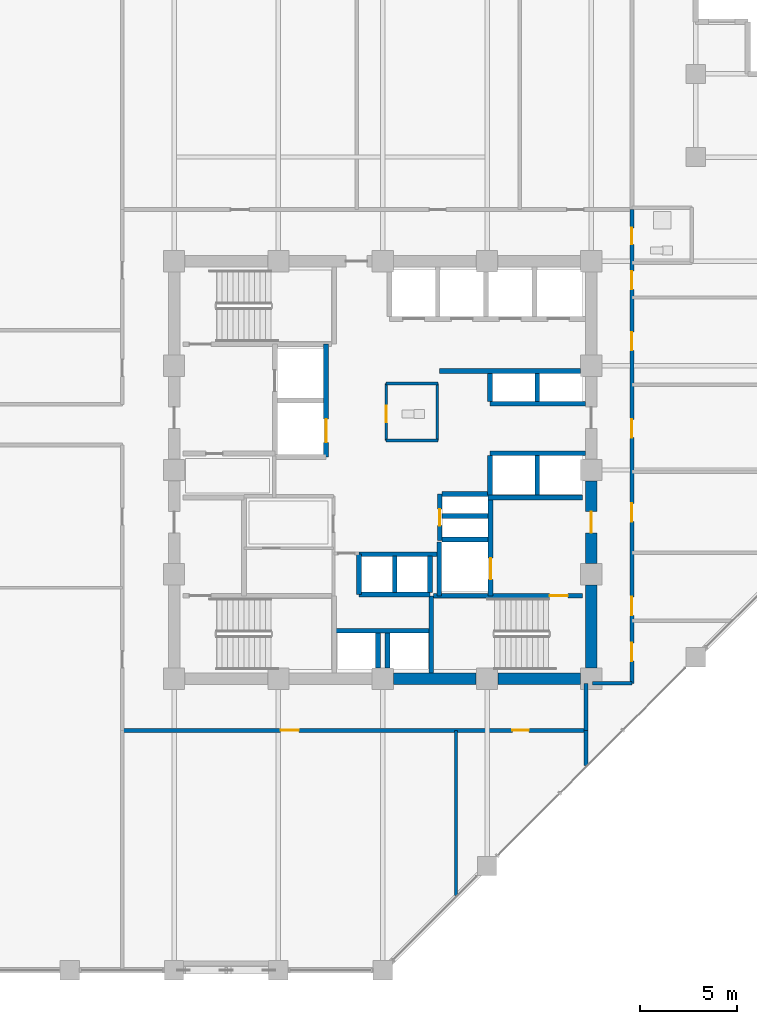
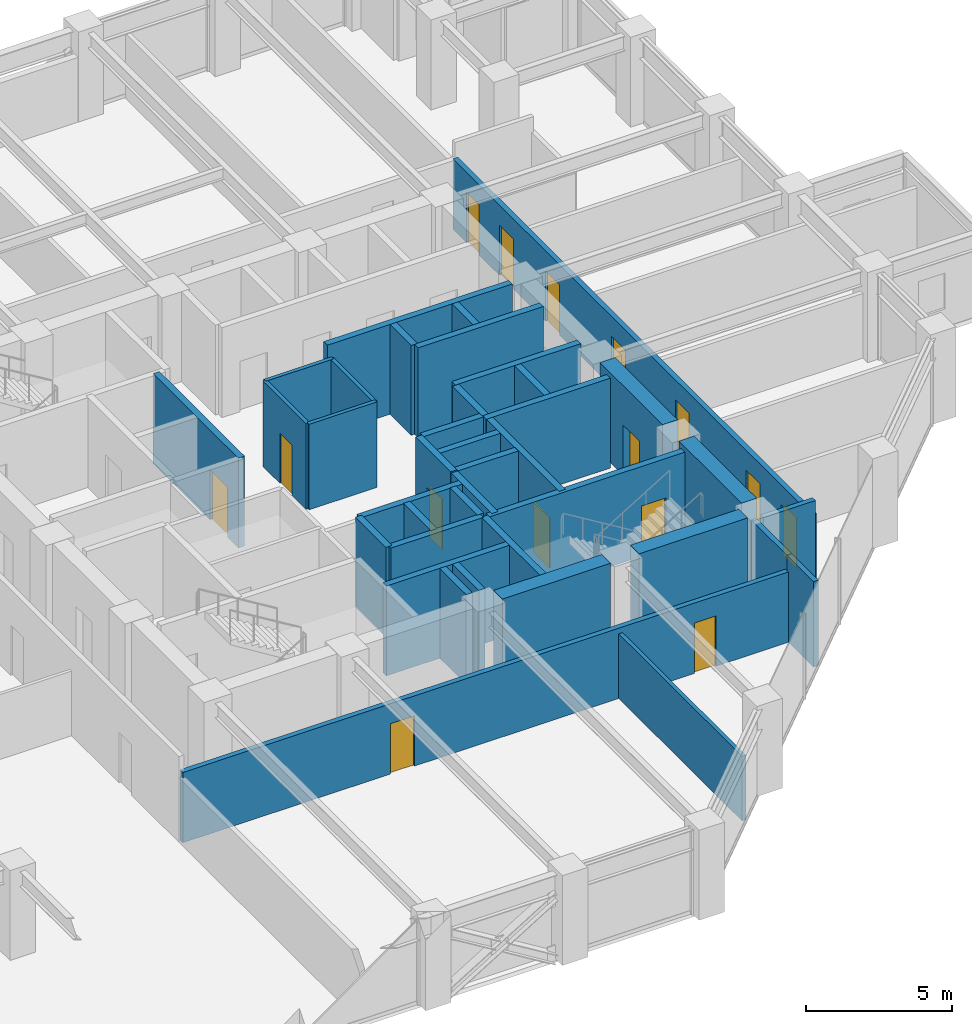
# One storey, part 20 of 26: 39 walls, 15 doors, 15 openings.
"""IFC4 building model written with IfcOpenShell, lengths in metres."""

from ifc_helpers import new_model, si_unit, direction, frame, frame_2d, origin, place, context, subcontext, project, spatial, rectangle, extrude, material, layer, layer_set, type_object, element, fill, save


model = new_model("IFC4")

# Units and contexts
model_context = context("Model", 3, precision=1e-05, world=origin(), true_north=direction((0.0, 1.0)))
body_context = subcontext(model_context, "Body", "Model", "MODEL_VIEW")
ifc_project = project(units=[si_unit("LENGTHUNIT", "METRE"), si_unit("AREAUNIT", "SQUARE_METRE"), si_unit("VOLUMEUNIT", "CUBIC_METRE"), si_unit("PLANEANGLEUNIT", "RADIAN"), si_unit("MASSUNIT", "GRAM", prefix="KILO")], contexts=[model_context])

# Site, building, storey
site_placement = place(None, origin())
site = spatial("IfcSite", under=ifc_project, at=site_placement, CompositionType="ELEMENT")
building_placement = place(site_placement, origin())
building = spatial("IfcBuilding", under=site, at=building_placement, Name="Surkhivell Harbour Commons", CompositionType="ELEMENT")
storey_placement = place(building_placement, frame((0.0, 0.0, 147.0)))
storey = spatial("IfcBuildingStorey", under=building, at=storey_placement, Name="L38", CompositionType="ELEMENT", Elevation=147.0)

# Wall
ifc_material_1 = material(Name="Concrete C60/75", Category="concrete")
ifc_layer_1 = layer(ifc_material_1, 0.60009765625)
ifc_layer_set_1 = layer_set([ifc_layer_1], Name="Concrete C60/75")
wall_type_1 = type_object("IfcWallType", Name="WAL-CORE-600", PredefinedType="SHEAR", material=ifc_layer_set_1)
wall_1_placement = place(storey_placement, frame((10.800048828125, -10.239990234375, 0.0), z_axis=(0.0, 0.0, 1.0), x_axis=(0.0, 1.0, 0.0)))
element("IfcWall", 1, at=wall_1_placement, inside=storey, type_object=wall_type_1, Name="L38 Core Shear Wall East 1", PredefinedType="SHEAR", context=body_context, shape_type="SweptSolid", body=[
    extrude(rectangle(XDim=4.280029296875, YDim=0.60009765625, at=frame_2d((2.14013671875, 0.0))), origin(), (0.0, 0.0, 1.0), 3.75),
])

# Wall, opening, door
wall_2_placement = place(storey_placement, frame((10.800048828125, -4.840087890625, 0.0), z_axis=(0.0, 0.0, 1.0), x_axis=(0.0, 1.0, 0.0)))
wall_2 = element("IfcWall", 2, at=wall_2_placement, inside=storey, type_object=wall_type_1, Name="L38 Core Shear Wall East 2", PredefinedType="SHEAR", context=body_context, shape_type="SweptSolid", body=[
    extrude(rectangle(XDim=4.280029296875, YDim=0.60009765625, at=frame_2d((2.14013671875, 0.0))), origin(), (0.0, 0.0, 1.0), 3.75),
])
opening_1_placement = place(wall_2_placement, frame((1.590087890625, 0.0, 0.0)))
opening_1 = element("IfcOpeningElement", 3, at=opening_1_placement, cuts=wall_2, Name="Opening ID-1", PredefinedType="OPENING", context=body_context, shape_type="SweptSolid", body=[
    extrude(rectangle(XDim=1.10009765625, YDim=2.10009765625, at=frame_2d((0.550048828125, 1.050048828125))), frame((0.0, 0.31005859375, 0.0), z_axis=(0.0, -1.0, 0.0), x_axis=(1.0, 0.0, 0.0)), (0.0, 0.0, 1.0), 0.6201171875),
])
ifc_material_2 = material(Name="Hardwood-veneered fire-rated door leaf", Category="wood")
door_type_1 = type_object("IfcDoorType", Name="DOR-FD120-1100", OperationType="NOTDEFINED", PredefinedType="DOOR", material=ifc_material_2)
door_1_placement = place(opening_1_placement, origin())
door_1 = element("IfcDoor", 4, at=door_1_placement, inside=storey, type_object=door_type_1, Name="L38 Firefighting Lobby 2 Corridor Door", OperationType="SINGLE_SWING_RIGHT", OverallHeight=2.10009765625, OverallWidth=1.10009765625, PredefinedType="DOOR", context=body_context, shape_type="SweptSolid", body=[
    extrude(rectangle(XDim=1.10009765625, YDim=2.10009765625, at=frame_2d((0.550048828125, 1.050048828125))), frame((0.0, 0.02490234375, 0.0), z_axis=(0.0, -1.0, 0.0), x_axis=(1.0, 0.0, 0.0)), (0.0, 0.0, 1.0), 0.050048828125),
])
fill(opening_1, door_1)

# Walls
for number, where, z_axis, x_axis, name in (
    (5, (0.56005859375, -10.800048828125, 0.0), (0.0, 0.0, 1.0), (1.0, 0.0, 0.0), "L38 Core Shear Wall South 3"),
    (6, (5.9599609375, -10.800048828125, 0.0), (0.0, 0.0, 1.0), (1.0, 0.0, 0.0), "L38 Core Shear Wall South 4"),
):
    element("IfcWall", number, at=place(storey_placement, frame(where, z_axis=z_axis, x_axis=x_axis)), inside=storey, type_object=wall_type_1, Name=name, PredefinedType="SHEAR", context=body_context, shape_type="SweptSolid", body=[
        extrude(rectangle(XDim=4.280029296875, YDim=0.60009765625, at=frame_2d((2.14013671875, 0.0))), origin(), (0.0, 0.0, 1.0), 3.75),
    ])
ifc_material_3 = material(Name="Twin-stud acoustic fireboard partition", Category="other")
ifc_layer_2 = layer(ifc_material_3, 0.14990234375)
ifc_layer_set_2 = layer_set([ifc_layer_2], Name="Twin-stud acoustic fireboard partition")
wall_type_2 = type_object("IfcWallType", Name="WAL-INT-150", PredefinedType="PARTITIONING", material=ifc_layer_set_2)
wall_3_placement = place(storey_placement, frame((2.820068359375, 1.52001953125, 0.0), z_axis=(0.0, 0.0, 1.0), x_axis=(0.0, 1.0, 0.0)))
element("IfcWall", 7, at=wall_3_placement, inside=storey, type_object=wall_type_2, Name="L38 Core Accessible WC East Wall", PredefinedType="PARTITIONING", context=body_context, shape_type="SweptSolid", body=[
    extrude(rectangle(XDim=2.9599609375, YDim=0.14990234375, at=frame_2d((1.47998046875, 0.0))), origin(), (0.0, 0.0, 1.0), 3.570068359375),
])
for number, where, z_axis, x_axis, name in (
    (8, (0.179931640625, 4.47998046875, 0.0), (0.0, 0.0, 1.0), (1.0, 0.0, 0.0), "L38 Core Accessible WC North Wall"),
    (9, (0.179931640625, 1.52001953125, 0.0), (0.0, 0.0, 1.0), (1.0, 0.0, 0.0), "L38 Core Accessible WC South Wall"),
):
    element("IfcWall", number, at=place(storey_placement, frame(where, z_axis=z_axis, x_axis=x_axis)), inside=storey, type_object=wall_type_2, Name=name, PredefinedType="PARTITIONING", context=body_context, shape_type="SweptSolid", body=[
        extrude(rectangle(XDim=2.670166015625, YDim=0.14990234375, at=frame_2d((1.3349609375, 0.0))), origin(), (0.0, 0.0, 1.0), 3.570068359375),
    ])

# Wall, opening, door
wall_4_placement = place(storey_placement, frame((0.179931640625, 1.52001953125, 0.0), z_axis=(0.0, 0.0, 1.0), x_axis=(0.0, 1.0, 0.0)))
wall_4 = element("IfcWall", 10, at=wall_4_placement, inside=storey, type_object=wall_type_2, Name="L38 Core Accessible WC West Wall", PredefinedType="PARTITIONING", context=body_context, shape_type="SweptSolid", body=[
    extrude(rectangle(XDim=2.9599609375, YDim=0.14990234375, at=frame_2d((1.47998046875, 0.0))), origin(), (0.0, 0.0, 1.0), 3.570068359375),
])
opening_2_placement = place(wall_4_placement, frame((0.949951171875, 0.0, 0.0)))
opening_2 = element("IfcOpeningElement", 11, at=opening_2_placement, cuts=wall_4, Name="Opening ID-6", PredefinedType="OPENING", context=body_context, shape_type="SweptSolid", body=[
    extrude(rectangle(XDim=0.85009765625, YDim=2.10009765625, at=frame_2d((0.425048828125, 1.050048828125))), frame((0.0, 0.0849609375, 0.0), z_axis=(0.0, -1.0, 0.0), x_axis=(1.0, 0.0, 0.0)), (0.0, 0.0, 1.0), 0.169921875),
])
door_type_2 = type_object("IfcDoorType", Name="DOR-FD30-850", OperationType="NOTDEFINED", PredefinedType="DOOR", material=ifc_material_2)
door_2_placement = place(opening_2_placement, origin())
door_2 = element("IfcDoor", 12, at=door_2_placement, inside=storey, type_object=door_type_2, Name="L38 Floor Accessible WC Door", OperationType="SINGLE_SWING_RIGHT", OverallHeight=2.10009765625, OverallWidth=0.85009765625, PredefinedType="DOOR", context=body_context, shape_type="SweptSolid", body=[
    extrude(rectangle(XDim=0.85009765625, YDim=2.10009765625, at=frame_2d((0.425048828125, 1.050048828125))), frame((0.0, 0.02490234375, 0.0), z_axis=(0.0, -1.0, 0.0), x_axis=(1.0, 0.0, 0.0)), (0.0, 0.0, 1.0), 0.050048828125),
])
fill(opening_2, door_2)

# Walls
wall_5_placement = place(storey_placement, frame((3.800048828125, -22.01513671875, 0.0), z_axis=(0.0, 0.0, 1.0), x_axis=(0.0, 1.0, 0.0)))
element("IfcWall", 13, at=wall_5_placement, inside=storey, type_object=wall_type_2, Name="L38 South Partition P1", PredefinedType="PARTITIONING", context=body_context, shape_type="SweptSolid", body=[
    extrude(rectangle(XDim=8.53515625, YDim=0.14990234375, at=frame_2d((4.267578125, 0.0))), origin(), (0.0, 0.0, 1.0), 2.698974609375),
])
ifc_material_4 = material(Name="Autoclaved aerated concrete blockwork and fire plaster", Category="masonry")
ifc_layer_3 = layer(ifc_material_4, 0.199951171875)
ifc_layer_set_3 = layer_set([ifc_layer_3], Name="Autoclaved aerated concrete blockwork and fire plaster")
wall_type_3 = type_object("IfcWallType", Name="WAL-INT-200", PredefinedType="PARTITIONING", material=ifc_layer_set_3)
wall_6_placement = place(storey_placement, frame((10.52001953125, -15.295166015625, 0.0), z_axis=(0.0, 0.0, 1.0), x_axis=(0.0, 1.0, 0.0)))
element("IfcWall", 14, at=wall_6_placement, inside=storey, type_object=wall_type_3, Name="L38 South-East Wing Corner Divider", PredefinedType="PARTITIONING", context=body_context, shape_type="SweptSolid", body=[
    extrude(rectangle(XDim=1.815185546875, YDim=0.199951171875, at=frame_2d((0.90771484375, 0.0))), origin(), (0.0, 0.0, 1.0), 3.570068359375),
])

# Wall, openings, doors
wall_7_placement = place(storey_placement, frame((12.89990234375, -11.0400390625, 0.0), z_axis=(0.0, 0.0, 1.0), x_axis=(0.0, 1.0, 0.0)))
wall_7 = element("IfcWall", 15, at=wall_7_placement, inside=storey, type_object=wall_type_3, Name="L38 Corridor East Wall", PredefinedType="PARTITIONING", context=body_context, shape_type="SweptSolid", body=[
    extrude(rectangle(XDim=24.52001953125, YDim=0.199951171875, at=frame_2d((12.260009765625, 0.0))), origin(), (0.0, 0.0, 1.0), 2.93310546875),
])
opening_3_placement = place(wall_7_placement, frame((1.139892578125, 0.0, 0.0)))
opening_3 = element("IfcOpeningElement", 16, at=opening_3_placement, cuts=wall_7, Name="Opening ID-4", PredefinedType="OPENING", context=body_context, shape_type="SweptSolid", body=[
    extrude(rectangle(XDim=0.949951171875, YDim=2.10009765625, at=frame_2d((0.47509765625, 1.050048828125))), frame((0.0, 0.10986328125, 0.0), z_axis=(0.0, -1.0, 0.0), x_axis=(1.0, 0.0, 0.0)), (0.0, 0.0, 1.0), 0.219970703125),
])
opening_4_placement = place(wall_7_placement, frame((22.72509765625, 0.0, 0.0)))
opening_4 = element("IfcOpeningElement", 17, at=opening_4_placement, cuts=wall_7, Name="Opening ID-6", PredefinedType="OPENING", context=body_context, shape_type="SweptSolid", body=[
    extrude(rectangle(XDim=0.85009765625, YDim=2.10009765625, at=frame_2d((0.425048828125, 1.050048828125))), frame((0.0, 0.10986328125, 0.0), z_axis=(0.0, -1.0, 0.0), x_axis=(1.0, 0.0, 0.0)), (0.0, 0.0, 1.0), 0.219970703125),
])
opening_5_placement = place(wall_7_placement, frame((20.389892578125, 0.0, 0.0)))
opening_5 = element("IfcOpeningElement", 18, at=opening_5_placement, cuts=wall_7, Name="Opening ID-4", PredefinedType="OPENING", context=body_context, shape_type="SweptSolid", body=[
    extrude(rectangle(XDim=0.949951171875, YDim=2.10009765625, at=frame_2d((0.47509765625, 1.050048828125))), frame((0.0, 0.10986328125, 0.0), z_axis=(0.0, -1.0, 0.0), x_axis=(1.0, 0.0, 0.0)), (0.0, 0.0, 1.0), 0.219970703125),
])
opening_6_placement = place(wall_7_placement, frame((3.52001953125, 0.0, 0.0)))
opening_6 = element("IfcOpeningElement", 19, at=opening_6_placement, cuts=wall_7, Name="Opening ID-4", PredefinedType="OPENING", context=body_context, shape_type="SweptSolid", body=[
    extrude(rectangle(XDim=0.949951171875, YDim=2.10009765625, at=frame_2d((0.47509765625, 1.050048828125))), frame((0.0, 0.10986328125, 0.0), z_axis=(0.0, -1.0, 0.0), x_axis=(1.0, 0.0, 0.0)), (0.0, 0.0, 1.0), 0.219970703125),
])
opening_7_placement = place(wall_7_placement, frame((8.364990234375, 0.0, 0.0)))
opening_7 = element("IfcOpeningElement", 20, at=opening_7_placement, cuts=wall_7, Name="Opening ID-4", PredefinedType="OPENING", context=body_context, shape_type="SweptSolid", body=[
    extrude(rectangle(XDim=0.949951171875, YDim=2.10009765625, at=frame_2d((0.47509765625, 1.050048828125))), frame((0.0, 0.10986328125, 0.0), z_axis=(0.0, -1.0, 0.0), x_axis=(1.0, 0.0, 0.0)), (0.0, 0.0, 1.0), 0.219970703125),
])
opening_8_placement = place(wall_7_placement, frame((12.715087890625, 0.0, 0.0)))
opening_8 = element("IfcOpeningElement", 21, at=opening_8_placement, cuts=wall_7, Name="Opening ID-4", PredefinedType="OPENING", context=body_context, shape_type="SweptSolid", body=[
    extrude(rectangle(XDim=0.949951171875, YDim=2.10009765625, at=frame_2d((0.47509765625, 1.050048828125))), frame((0.0, 0.10986328125, 0.0), z_axis=(0.0, -1.0, 0.0), x_axis=(1.0, 0.0, 0.0)), (0.0, 0.0, 1.0), 0.219970703125),
])
opening_9_placement = place(wall_7_placement, frame((17.22998046875, 0.0, 0.0)))
opening_9 = element("IfcOpeningElement", 22, at=opening_9_placement, cuts=wall_7, Name="Opening ID-4", PredefinedType="OPENING", context=body_context, shape_type="SweptSolid", body=[
    extrude(rectangle(XDim=0.949951171875, YDim=2.10009765625, at=frame_2d((0.47509765625, 1.050048828125))), frame((0.0, 0.10986328125, 0.0), z_axis=(0.0, -1.0, 0.0), x_axis=(1.0, 0.0, 0.0)), (0.0, 0.0, 1.0), 0.219970703125),
])
door_3_placement = place(opening_4_placement, origin())
door_3 = element("IfcDoor", 23, at=door_3_placement, inside=storey, type_object=door_type_2, Name="L38 Communal Shower Bathroom East Door", OperationType="SINGLE_SWING_RIGHT", OverallHeight=2.10009765625, OverallWidth=0.85009765625, PredefinedType="DOOR", context=body_context, shape_type="SweptSolid", body=[
    extrude(rectangle(XDim=0.85009765625, YDim=2.10009765625, at=frame_2d((0.425048828125, 1.050048828125))), frame((0.0, 0.02490234375, 0.0), z_axis=(0.0, -1.0, 0.0), x_axis=(1.0, 0.0, 0.0)), (0.0, 0.0, 1.0), 0.050048828125),
])
fill(opening_4, door_3)
door_type_3 = type_object("IfcDoorType", Name="DOR-FD60-950", OperationType="NOTDEFINED", PredefinedType="DOOR", material=ifc_material_2)
door_4_placement = place(opening_3_placement, origin())
door_4 = element("IfcDoor", 24, at=door_4_placement, inside=storey, type_object=door_type_3, Name="L38 Shared Communal Kitchen East Door", OperationType="SINGLE_SWING_LEFT", OverallHeight=2.10009765625, OverallWidth=0.949951171875, PredefinedType="DOOR", context=body_context, shape_type="SweptSolid", body=[
    extrude(rectangle(XDim=0.949951171875, YDim=2.10009765625, at=frame_2d((0.47509765625, 1.050048828125))), frame((0.0, 0.02490234375, 0.0), z_axis=(0.0, -1.0, 0.0), x_axis=(1.0, 0.0, 0.0)), (0.0, 0.0, 1.0), 0.050048828125),
])
fill(opening_3, door_4)
door_5_placement = place(opening_5_placement, origin())
door_5 = element("IfcDoor", 25, at=door_5_placement, inside=storey, type_object=door_type_3, Name="L38 Academic Reading Commons East Door", OperationType="SINGLE_SWING_LEFT", OverallHeight=2.10009765625, OverallWidth=0.949951171875, PredefinedType="DOOR", context=body_context, shape_type="SweptSolid", body=[
    extrude(rectangle(XDim=0.949951171875, YDim=2.10009765625, at=frame_2d((0.47509765625, 1.050048828125))), frame((0.0, 0.02490234375, 0.0), z_axis=(0.0, -1.0, 0.0), x_axis=(1.0, 0.0, 0.0)), (0.0, 0.0, 1.0), 0.050048828125),
])
fill(opening_5, door_5)
door_6_placement = place(opening_6_placement, origin())
door_6 = element("IfcDoor", 26, at=door_6_placement, inside=storey, type_object=door_type_3, Name="L38 Hostel Cluster Bedroom 1 East Door", OperationType="SINGLE_SWING_RIGHT", OverallHeight=2.10009765625, OverallWidth=0.949951171875, PredefinedType="DOOR", context=body_context, shape_type="SweptSolid", body=[
    extrude(rectangle(XDim=0.949951171875, YDim=2.10009765625, at=frame_2d((0.47509765625, 1.050048828125))), frame((0.0, 0.02490234375, 0.0), z_axis=(0.0, -1.0, 0.0), x_axis=(1.0, 0.0, 0.0)), (0.0, 0.0, 1.0), 0.050048828125),
])
fill(opening_6, door_6)
door_7_placement = place(opening_7_placement, origin())
door_7 = element("IfcDoor", 27, at=door_7_placement, inside=storey, type_object=door_type_3, Name="L38 Co-Living Dormitory Bedroom 2 East Door", OperationType="SINGLE_SWING_LEFT", OverallHeight=2.10009765625, OverallWidth=0.949951171875, PredefinedType="DOOR", context=body_context, shape_type="SweptSolid", body=[
    extrude(rectangle(XDim=0.949951171875, YDim=2.10009765625, at=frame_2d((0.47509765625, 1.050048828125))), frame((0.0, 0.02490234375, 0.0), z_axis=(0.0, -1.0, 0.0), x_axis=(1.0, 0.0, 0.0)), (0.0, 0.0, 1.0), 0.050048828125),
])
fill(opening_7, door_7)
door_8_placement = place(opening_8_placement, origin())
door_8 = element("IfcDoor", 28, at=door_8_placement, inside=storey, type_object=door_type_3, Name="L38 Hostel Cluster Bedroom 3 East Door", OperationType="SINGLE_SWING_RIGHT", OverallHeight=2.10009765625, OverallWidth=0.949951171875, PredefinedType="DOOR", context=body_context, shape_type="SweptSolid", body=[
    extrude(rectangle(XDim=0.949951171875, YDim=2.10009765625, at=frame_2d((0.47509765625, 1.050048828125))), frame((0.0, 0.02490234375, 0.0), z_axis=(0.0, -1.0, 0.0), x_axis=(1.0, 0.0, 0.0)), (0.0, 0.0, 1.0), 0.050048828125),
])
fill(opening_8, door_8)
door_9_placement = place(opening_9_placement, origin())
door_9 = element("IfcDoor", 29, at=door_9_placement, inside=storey, type_object=door_type_3, Name="L38 Co-Living Dormitory Bedroom 4 East Door", OperationType="SINGLE_SWING_LEFT", OverallHeight=2.10009765625, OverallWidth=0.949951171875, PredefinedType="DOOR", context=body_context, shape_type="SweptSolid", body=[
    extrude(rectangle(XDim=0.949951171875, YDim=2.10009765625, at=frame_2d((0.47509765625, 1.050048828125))), frame((0.0, 0.02490234375, 0.0), z_axis=(0.0, -1.0, 0.0), x_axis=(1.0, 0.0, 0.0)), (0.0, 0.0, 1.0), 0.050048828125),
])
fill(opening_9, door_9)

# Wall
wall_8_placement = place(storey_placement, frame((10.85009765625, -11.0400390625, 0.0), z_axis=(0.0, 0.0, 1.0), x_axis=(1.0, 0.0, 0.0)))
element("IfcWall", 30, at=wall_8_placement, inside=storey, type_object=wall_type_3, Name="L38 Corridor East South Closure Wall", PredefinedType="PARTITIONING", context=body_context, shape_type="SweptSolid", body=[
    extrude(rectangle(XDim=2.0498046875, YDim=0.199951171875, at=frame_2d((1.02490234375, 0.0))), origin(), (0.0, 0.0, 1.0), 3.570068359375),
])

# Wall, openings, doors
wall_9_placement = place(storey_placement, frame((-13.47998046875, -13.47998046875, 0.0), z_axis=(0.0, 0.0, 1.0), x_axis=(1.0, 0.0, 0.0)))
wall_9 = element("IfcWall", 31, at=wall_9_placement, inside=storey, type_object=wall_type_3, Name="L38 Corridor South Wall", PredefinedType="PARTITIONING", context=body_context, shape_type="SweptSolid", body=[
    extrude(rectangle(XDim=24.0, YDim=0.199951171875, at=frame_2d((12.0, 0.0))), origin(), (0.0, 0.0, 1.0), 2.93310546875),
])
opening_10_placement = place(wall_9_placement, frame((8.18994140625, 0.0, 0.0)))
opening_10 = element("IfcOpeningElement", 32, at=opening_10_placement, cuts=wall_9, Name="Opening ID-4", PredefinedType="OPENING", context=body_context, shape_type="SweptSolid", body=[
    extrude(rectangle(XDim=0.949951171875, YDim=2.10009765625, at=frame_2d((0.47509765625, 1.050048828125))), frame((0.0, 0.10986328125, 0.0), z_axis=(0.0, -1.0, 0.0), x_axis=(1.0, 0.0, 0.0)), (0.0, 0.0, 1.0), 0.219970703125),
])
opening_11_placement = place(wall_9_placement, frame((20.18994140625, 0.0, 0.0)))
opening_11 = element("IfcOpeningElement", 33, at=opening_11_placement, cuts=wall_9, Name="Opening ID-6", PredefinedType="OPENING", context=body_context, shape_type="SweptSolid", body=[
    extrude(rectangle(XDim=0.85009765625, YDim=2.10009765625, at=frame_2d((0.425048828125, 1.050048828125))), frame((0.0, 0.10986328125, 0.0), z_axis=(0.0, -1.0, 0.0), x_axis=(1.0, 0.0, 0.0)), (0.0, 0.0, 1.0), 0.219970703125),
])
door_10_placement = place(opening_11_placement, origin())
door_10 = element("IfcDoor", 34, at=door_10_placement, inside=storey, type_object=door_type_2, Name="L38 Resident Advisory Reception Desk South Door", OperationType="SINGLE_SWING_LEFT", OverallHeight=2.10009765625, OverallWidth=0.85009765625, PredefinedType="DOOR", context=body_context, shape_type="SweptSolid", body=[
    extrude(rectangle(XDim=0.85009765625, YDim=2.10009765625, at=frame_2d((0.425048828125, 1.050048828125))), frame((0.0, 0.02490234375, 0.0), z_axis=(0.0, -1.0, 0.0), x_axis=(1.0, 0.0, 0.0)), (0.0, 0.0, 1.0), 0.050048828125),
])
fill(opening_11, door_10)
door_11_placement = place(opening_10_placement, origin())
door_11 = element("IfcDoor", 35, at=door_11_placement, inside=storey, type_object=door_type_3, Name="L38 Zone Concierge Reception Foyer South Door", OperationType="SINGLE_SWING_RIGHT", OverallHeight=2.10009765625, OverallWidth=0.949951171875, PredefinedType="DOOR", context=body_context, shape_type="SweptSolid", body=[
    extrude(rectangle(XDim=0.949951171875, YDim=2.10009765625, at=frame_2d((0.47509765625, 1.050048828125))), frame((0.0, 0.02490234375, 0.0), z_axis=(0.0, -1.0, 0.0), x_axis=(1.0, 0.0, 0.0)), (0.0, 0.0, 1.0), 0.050048828125),
])
fill(opening_10, door_11)

# Walls
wall_10_placement = place(storey_placement, frame((10.52001953125, -13.47998046875, 0.0), z_axis=(0.0, 0.0, 1.0), x_axis=(0.0, 1.0, 0.0)))
element("IfcWall", 36, at=wall_10_placement, inside=storey, type_object=wall_type_3, Name="L38 Corridor SE Closure Wall", PredefinedType="PARTITIONING", context=body_context, shape_type="SweptSolid", body=[
    extrude(rectangle(XDim=2.43994140625, YDim=0.199951171875, at=frame_2d((1.219970703125, 0.0))), origin(), (0.0, 0.0, 1.0), 3.570068359375),
])
ifc_material_5 = material(Name="Concrete C50/60", Category="concrete")
ifc_layer_4 = layer(ifc_material_5, 0.25)
ifc_layer_set_4 = layer_set([ifc_layer_4], Name="Concrete C50/60")
wall_type_4 = type_object("IfcWallType", Name="WAL-SHAFT-250", PredefinedType="SHEAR", material=ifc_layer_set_4)
wall_11_placement = place(storey_placement, frame((2.929931640625, -6.510009765625, 0.0), z_axis=(0.0, 0.0, 1.0), x_axis=(0.0, 1.0, 0.0)))
element("IfcWall", 37, at=wall_11_placement, inside=storey, type_object=wall_type_4, Name="L38 FFL2 West Shaft Wall", PredefinedType="SHEAR", context=body_context, shape_type="SweptSolid", body=[
    extrude(rectangle(XDim=2.7900390625, YDim=0.25, at=frame_2d((1.39501953125, 0.0))), origin(), (0.0, 0.0, 1.0), 3.75),
])
wall_12_placement = place(storey_placement, frame((5.43994140625, -1.419921875, 0.0), z_axis=(0.0, 0.0, 1.0), x_axis=(1.0, 0.0, 0.0)))
element("IfcWall", 38, at=wall_12_placement, inside=storey, type_object=wall_type_4, Name="L38 Firefighting Lobby 2 North Wall", PredefinedType="SHEAR", context=body_context, shape_type="SweptSolid", body=[
    extrude(rectangle(XDim=4.900146484375, YDim=0.25, at=frame_2d((2.4501953125, 0.0))), origin(), (0.0, 0.0, 1.0), 3.75),
])
wall_13_placement = place(storey_placement, frame((3.080078125, -3.60009765625, 0.0), z_axis=(0.0, 0.0, 1.0), x_axis=(1.0, 0.0, 0.0)))
element("IfcWall", 39, at=wall_13_placement, inside=storey, type_object=wall_type_4, Name="L38 FFL2 North Shaft Wall", PredefinedType="SHEAR", context=body_context, shape_type="SweptSolid", body=[
    extrude(rectangle(XDim=2.369873046875, YDim=0.25, at=frame_2d((1.18505859375, 0.0))), origin(), (0.0, 0.0, 1.0), 3.75),
])

# Wall, opening, door
wall_14_placement = place(storey_placement, frame((5.580078125, -6.510009765625, 0.0), z_axis=(0.0, 0.0, 1.0), x_axis=(0.0, 1.0, 0.0)))
wall_14 = element("IfcWall", 40, at=wall_14_placement, inside=storey, type_object=wall_type_4, Name="L38 Firefighting Lobby 2 West Shaft Wall", PredefinedType="SHEAR", context=body_context, shape_type="SweptSolid", body=[
    extrude(rectangle(XDim=5.090087890625, YDim=0.25, at=frame_2d((2.544921875, 0.0))), origin(), (0.0, 0.0, 1.0), 3.75),
])
opening_12_placement = place(wall_14_placement, frame((0.85009765625, 0.0, 0.0)))
opening_12 = element("IfcOpeningElement", 41, at=opening_12_placement, cuts=wall_14, Name="Opening LD-1", PredefinedType="OPENING", context=body_context, shape_type="SweptSolid", body=[
    extrude(rectangle(XDim=1.10009765625, YDim=2.10009765625, at=frame_2d((0.550048828125, 1.050048828125))), frame((0.0, 0.135009765625, 0.0), z_axis=(0.0, -1.0, 0.0), x_axis=(1.0, 0.0, 0.0)), (0.0, 0.0, 1.0), 0.27001953125),
])
ifc_material_6 = material(Name="Brushed stainless steel S355", Category="steel")
door_type_4 = type_object("IfcDoorType", Name="DOR-LD-1100", OperationType="SLIDING_TO_LEFT", PredefinedType="DOOR", material=ifc_material_6)
door_12_placement = place(opening_12_placement, origin())
door_12 = element("IfcDoor", 42, at=door_12_placement, inside=storey, type_object=door_type_4, Name="L38 Lift Landing Door LD-FFL2", OperationType="SLIDING_TO_RIGHT", OverallHeight=2.10009765625, OverallWidth=1.10009765625, PredefinedType="DOOR", context=body_context, shape_type="SweptSolid", body=[
    extrude(rectangle(XDim=1.10009765625, YDim=2.10009765625, at=frame_2d((0.550048828125, 1.050048828125))), frame((0.0, 0.02490234375, 0.0), z_axis=(0.0, -1.0, 0.0), x_axis=(1.0, 0.0, 0.0)), (0.0, 0.0, 1.0), 0.050048828125),
])
fill(opening_12, door_12)

# Walls
for number, where, z_axis, x_axis, name in (
    (43, (0.6201171875, -6.340087890625, 0.0), (0.0, 0.0, 1.0), (0.0, 1.0, 0.0), "L38 High-Rise Side Wall N"),
    (44, (2.449951171875, -6.340087890625, 0.0), (0.0, 0.0, 1.0), (0.0, 1.0, 0.0), "L38 High-Rise Side Wall N"),
):
    element("IfcWall", number, at=place(storey_placement, frame(where, z_axis=z_axis, x_axis=x_axis)), inside=storey, type_object=wall_type_4, Name=name, PredefinedType="SHEAR", context=body_context, shape_type="SweptSolid", body=[
        extrude(rectangle(XDim=1.880126953125, YDim=0.25, at=frame_2d((0.93994140625, 0.0))), origin(), (0.0, 0.0, 1.0), 3.75),
    ])
for number, where, z_axis, x_axis, name in (
    (45, (-0.25, -10.25, 0.0), (0.0, 0.0, 1.0), (0.0, 1.0, 0.0), "L38 High-Rise Side Wall S"),
    (46, (0.25, -10.25, 0.0), (0.0, 0.0, 1.0), (0.0, 1.0, 0.0), "L38 High-Rise Side Wall S"),
):
    element("IfcWall", number, at=place(storey_placement, frame(where, z_axis=z_axis, x_axis=x_axis)), inside=storey, type_object=wall_type_4, Name=name, PredefinedType="SHEAR", context=body_context, shape_type="SweptSolid", body=[
        extrude(rectangle(XDim=1.81005859375, YDim=0.25, at=frame_2d((0.905029296875, 0.0))), origin(), (0.0, 0.0, 1.0), 3.75),
    ])
wall_15_placement = place(storey_placement, frame((-1.219970703125, -6.43994140625, 0.0), z_axis=(0.0, 0.0, 1.0), x_axis=(0.0, 1.0, 0.0)))
element("IfcWall", 47, at=wall_15_placement, inside=storey, type_object=wall_type_4, Name="L38 High-Rise Passage East Shaft Wall", PredefinedType="SHEAR", context=body_context, shape_type="SweptSolid", body=[
    extrude(rectangle(XDim=2.079833984375, YDim=0.25, at=frame_2d((1.0400390625, 0.0))), origin(), (0.0, 0.0, 1.0), 3.75),
])
wall_16_placement = place(storey_placement, frame((-1.219970703125, -6.43994140625, 0.0), z_axis=(0.0, 0.0, 1.0), x_axis=(1.0, 0.0, 0.0)))
element("IfcWall", 48, at=wall_16_placement, inside=storey, type_object=wall_type_4, Name="L38 High-Rise North Front Shaft Wall", PredefinedType="SHEAR", context=body_context, shape_type="SweptSolid", body=[
    extrude(rectangle(XDim=3.669921875, YDim=0.25, at=frame_2d((1.8349609375, 0.0))), origin(), (0.0, 0.0, 1.0), 3.75),
])
wall_17_placement = place(storey_placement, frame((-2.47998046875, -8.320068359375, 0.0), z_axis=(0.0, 0.0, 1.0), x_axis=(1.0, 0.0, 0.0)))
element("IfcWall", 49, at=wall_17_placement, inside=storey, type_object=wall_type_4, Name="L38 High-Rise South Front Shaft Wall", PredefinedType="SHEAR", context=body_context, shape_type="SweptSolid", body=[
    extrude(rectangle(XDim=4.929931640625, YDim=0.25, at=frame_2d((2.46484375, 0.0))), origin(), (0.0, 0.0, 1.0), 3.75),
])
wall_18_placement = place(storey_placement, frame((-1.219970703125, -4.360107421875, 0.0), z_axis=(0.0, 0.0, 1.0), x_axis=(1.0, 0.0, 0.0)))
element("IfcWall", 50, at=wall_18_placement, inside=storey, type_object=wall_type_4, Name="L38 High-Rise North Back Shaft Wall", PredefinedType="SHEAR", context=body_context, shape_type="SweptSolid", body=[
    extrude(rectangle(XDim=4.030029296875, YDim=0.25, at=frame_2d((2.01513671875, 0.0))), origin(), (0.0, 0.0, 1.0), 3.75),
])
wall_19_placement = place(storey_placement, frame((2.949951171875, 5.1201171875, 0.0), z_axis=(0.0, 0.0, 1.0), x_axis=(1.0, 0.0, 0.0)))
element("IfcWall", 51, at=wall_19_placement, inside=storey, type_object=wall_type_4, Name="L38 Low-Rise Lobby South Wall", PredefinedType="SHEAR", context=body_context, shape_type="SweptSolid", body=[
    extrude(rectangle(XDim=7.300048828125, YDim=0.25, at=frame_2d((3.64990234375, 0.0))), origin(), (0.0, 0.0, 1.0), 3.75),
])
for number, where, z_axis, x_axis, name in (
    (52, (5.550048828125, 3.550048828125, 0.0), (0.0, 0.0, 1.0), (0.0, 1.0, 0.0), "L38 Mid-Rise Shaft Side Wall N"),
    (53, (8.0, 3.550048828125, 0.0), (0.0, 0.0, 1.0), (0.0, 1.0, 0.0), "L38 Mid-Rise Shaft Side Wall N"),
):
    element("IfcWall", number, at=place(storey_placement, frame(where, z_axis=z_axis, x_axis=x_axis)), inside=storey, type_object=wall_type_4, Name=name, PredefinedType="SHEAR", context=body_context, shape_type="SweptSolid", body=[
        extrude(rectangle(XDim=1.449951171875, YDim=0.25, at=frame_2d((0.72509765625, 0.0))), origin(), (0.0, 0.0, 1.0), 3.75),
    ])
for number, where, z_axis, x_axis, name in (
    (54, (5.550048828125, -1.300048828125, 0.0), (0.0, 0.0, 1.0), (0.0, 1.0, 0.0), "L38 Mid-Rise Shaft Side Wall S"),
    (55, (8.0, -1.300048828125, 0.0), (0.0, 0.0, 1.0), (0.0, 1.0, 0.0), "L38 Mid-Rise Shaft Side Wall S"),
):
    element("IfcWall", number, at=place(storey_placement, frame(where, z_axis=z_axis, x_axis=x_axis)), inside=storey, type_object=wall_type_4, Name=name, PredefinedType="SHEAR", context=body_context, shape_type="SweptSolid", body=[
        extrude(rectangle(XDim=2.0400390625, YDim=0.25, at=frame_2d((1.02001953125, 0.0))), origin(), (0.0, 0.0, 1.0), 3.75),
    ])
for number, where, z_axis, x_axis, name in (
    (56, (5.550048828125, 3.429931640625, 0.0), (0.0, 0.0, 1.0), (1.0, 0.0, 0.0), "L38 Mid-Rise North Front Shaft Wall"),
    (57, (5.550048828125, 0.8701171875, 0.0), (0.0, 0.0, 1.0), (1.0, 0.0, 0.0), "L38 Mid-Rise South Front Shaft Wall"),
):
    element("IfcWall", number, at=place(storey_placement, frame(where, z_axis=z_axis, x_axis=x_axis)), inside=storey, type_object=wall_type_4, Name=name, PredefinedType="SHEAR", context=body_context, shape_type="SweptSolid", body=[
        extrude(rectangle(XDim=4.949951171875, YDim=0.25, at=frame_2d((2.47509765625, 0.0))), origin(), (0.0, 0.0, 1.0), 3.75),
    ])
for number, where, z_axis, x_axis, name in (
    (58, (3.080078125, -2.3798828125, 0.0), (0.0, 0.0, 1.0), (1.0, 0.0, 0.0), "L38 Riser Divider Wall"),
    (59, (3.080078125, -1.25, 0.0), (0.0, 0.0, 1.0), (1.0, 0.0, 0.0), "L38 Riser North Wall"),
):
    element("IfcWall", number, at=place(storey_placement, frame(where, z_axis=z_axis, x_axis=x_axis)), inside=storey, type_object=wall_type_4, Name=name, PredefinedType="SHEAR", context=body_context, shape_type="SweptSolid", body=[
        extrude(rectangle(XDim=2.369873046875, YDim=0.25, at=frame_2d((1.18505859375, 0.0))), origin(), (0.0, 0.0, 1.0), 3.75),
    ])

# Wall, opening, door
wall_20_placement = place(storey_placement, frame((2.949951171875, -3.64990234375, 0.0), z_axis=(0.0, 0.0, 1.0), x_axis=(0.0, 1.0, 0.0)))
wall_20 = element("IfcWall", 60, at=wall_20_placement, inside=storey, type_object=wall_type_4, Name="L38 Riser Shaft West Wall", PredefinedType="SHEAR", context=body_context, shape_type="SweptSolid", body=[
    extrude(rectangle(XDim=2.39990234375, YDim=0.25, at=frame_2d((1.199951171875, 0.0))), origin(), (0.0, 0.0, 1.0), 3.75),
])
opening_13_placement = place(wall_20_placement, frame((0.77490234375, 0.0, 0.0)))
opening_13 = element("IfcOpeningElement", 61, at=opening_13_placement, cuts=wall_20, Name="Opening ID-6", PredefinedType="OPENING", context=body_context, shape_type="SweptSolid", body=[
    extrude(rectangle(XDim=0.85009765625, YDim=2.10009765625, at=frame_2d((0.425048828125, 1.050048828125))), frame((0.0, 0.135009765625, 0.0), z_axis=(0.0, -1.0, 0.0), x_axis=(1.0, 0.0, 0.0)), (0.0, 0.0, 1.0), 0.27001953125),
])
door_13_placement = place(opening_13_placement, origin())
door_13 = element("IfcDoor", 62, at=door_13_placement, inside=storey, type_object=door_type_2, Name="L38 Electrical Riser Access Door", OperationType="SINGLE_SWING_LEFT", OverallHeight=2.10009765625, OverallWidth=0.85009765625, PredefinedType="DOOR", context=body_context, shape_type="SweptSolid", body=[
    extrude(rectangle(XDim=0.85009765625, YDim=2.10009765625, at=frame_2d((0.425048828125, 1.050048828125))), frame((0.0, 0.02490234375, 0.0), z_axis=(0.0, -1.0, 0.0), x_axis=(1.0, 0.0, 0.0)), (0.0, 0.0, 1.0), 0.050048828125),
])
fill(opening_13, door_13)

wall_21_placement = place(storey_placement, frame((2.639892578125, -6.510009765625, 0.0), z_axis=(0.0, 0.0, 1.0), x_axis=(1.0, 0.0, 0.0)))
wall_21 = element("IfcWall", 63, at=wall_21_placement, inside=storey, type_object=wall_type_4, Name="L38 Stair ST2 North Shear Wall", PredefinedType="SHEAR", context=body_context, shape_type="SweptSolid", body=[
    extrude(rectangle(XDim=7.7001953125, YDim=0.25, at=frame_2d((3.85009765625, 0.0))), origin(), (0.0, 0.0, 1.0), 3.75),
])
opening_14_placement = place(wall_21_placement, frame((6.0, 0.0, 0.0)))
opening_14 = element("IfcOpeningElement", 64, at=opening_14_placement, cuts=wall_21, Name="Opening ID-4", PredefinedType="OPENING", context=body_context, shape_type="SweptSolid", body=[
    extrude(rectangle(XDim=0.949951171875, YDim=2.10009765625, at=frame_2d((0.47509765625, 1.050048828125))), frame((0.0, 0.135009765625, 0.0), z_axis=(0.0, -1.0, 0.0), x_axis=(1.0, 0.0, 0.0)), (0.0, 0.0, 1.0), 0.27001953125),
])
door_14_placement = place(opening_14_placement, origin())
door_14 = element("IfcDoor", 65, at=door_14_placement, inside=storey, type_object=door_type_3, Name="L38 Stair ST2 Exit Door", OperationType="SINGLE_SWING_RIGHT", OverallHeight=2.10009765625, OverallWidth=0.949951171875, PredefinedType="DOOR", context=body_context, shape_type="SweptSolid", body=[
    extrude(rectangle(XDim=0.949951171875, YDim=2.10009765625, at=frame_2d((0.47509765625, 1.050048828125))), frame((0.0, 0.02490234375, 0.0), z_axis=(0.0, -1.0, 0.0), x_axis=(1.0, 0.0, 0.0)), (0.0, 0.0, 1.0), 0.050048828125),
])
fill(opening_14, door_14)

# Wall
wall_22_placement = place(storey_placement, frame((2.510009765625, -10.5, 0.0), z_axis=(0.0, 0.0, 1.0), x_axis=(0.0, 1.0, 0.0)))
element("IfcWall", 66, at=wall_22_placement, inside=storey, type_object=wall_type_4, Name="L38 Stair ST2 West Shear Wall", PredefinedType="SHEAR", context=body_context, shape_type="SweptSolid", body=[
    extrude(rectangle(XDim=3.989990234375, YDim=0.25, at=frame_2d((1.9951171875, 0.0))), origin(), (0.0, 0.0, 1.0), 3.75),
])

# Wall, opening, door
wall_23_placement = place(storey_placement, frame((-2.929931640625, 0.679931640625, 0.0), z_axis=(0.0, 0.0, 1.0), x_axis=(0.0, 1.0, 0.0)))
wall_23 = element("IfcWall", 67, at=wall_23_placement, inside=storey, type_object=wall_type_4, Name="L38 Service and Fire Lift East Shaft Wall", PredefinedType="SHEAR", context=body_context, shape_type="SweptSolid", body=[
    extrude(rectangle(XDim=5.830078125, YDim=0.25, at=frame_2d((2.9150390625, 0.0))), origin(), (0.0, 0.0, 1.0), 3.75),
])
opening_15_placement = place(wall_23_placement, frame((0.75, 0.0, 0.0)))
opening_15 = element("IfcOpeningElement", 68, at=opening_15_placement, cuts=wall_23, Name="Opening LD-2", PredefinedType="OPENING", context=body_context, shape_type="SweptSolid", body=[
    extrude(rectangle(XDim=1.199951171875, YDim=2.10009765625, at=frame_2d((0.60009765625, 1.050048828125))), frame((0.0, 0.135009765625, 0.0), z_axis=(0.0, -1.0, 0.0), x_axis=(1.0, 0.0, 0.0)), (0.0, 0.0, 1.0), 0.27001953125),
])
door_type_5 = type_object("IfcDoorType", Name="DOR-LD-1200", OperationType="SLIDING_TO_LEFT", PredefinedType="DOOR", material=ifc_material_6)
door_15_placement = place(opening_15_placement, origin())
door_15 = element("IfcDoor", 69, at=door_15_placement, inside=storey, type_object=door_type_5, Name="L38 Lift Landing Door LD-SVL1", OperationType="SLIDING_TO_LEFT", OverallHeight=2.10009765625, OverallWidth=1.199951171875, PredefinedType="DOOR", context=body_context, shape_type="SweptSolid", body=[
    extrude(rectangle(XDim=1.199951171875, YDim=2.10009765625, at=frame_2d((0.60009765625, 1.050048828125))), frame((0.0, 0.02490234375, 0.0), z_axis=(0.0, -1.0, 0.0), x_axis=(1.0, 0.0, 0.0)), (0.0, 0.0, 1.0), 0.050048828125),
])
fill(opening_15, door_15)

save(model, "model.ifc")
